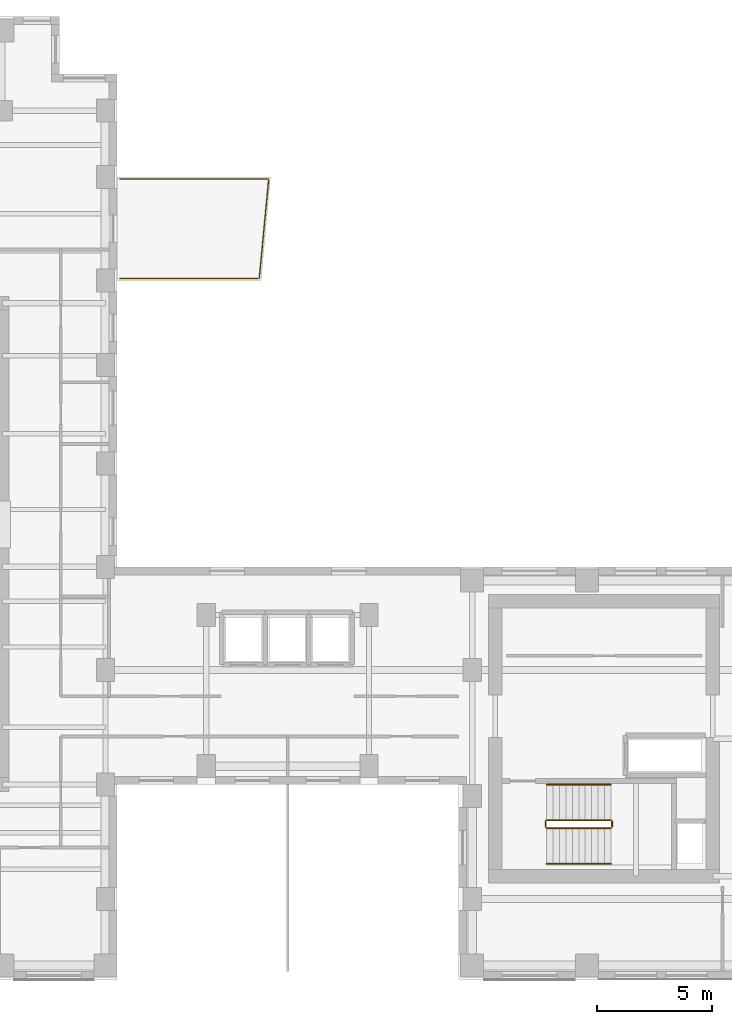
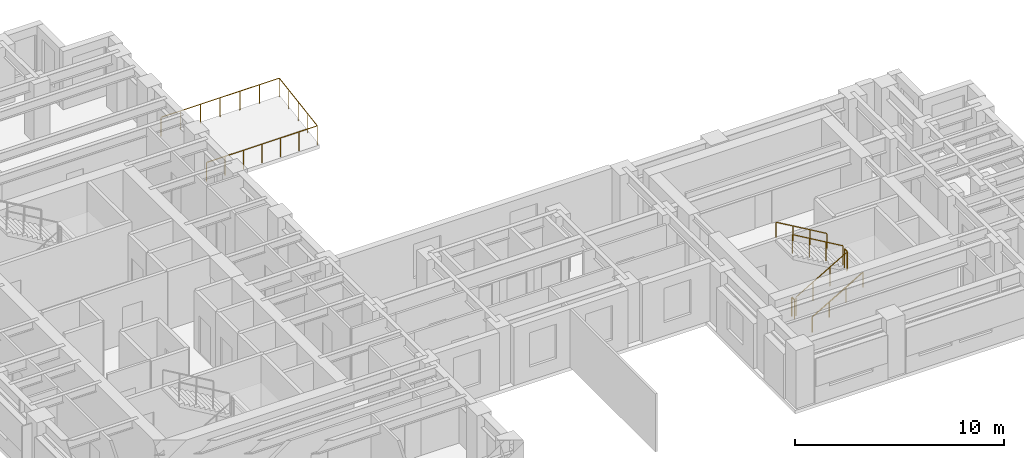
# One storey, part 10 of 10: 7 railings.
"""IFC4 building model written with IfcOpenShell, lengths in metres."""

from ifc_helpers import new_model, si_unit, direction, frame, origin, origin_2d, place, context, subcontext, project, spatial, circle, extrude, source, transform, mapped, material, layer, layer_set, type_object, element, save


model = new_model("IFC4")

# Units and contexts
model_context = context("Model", 3, precision=1e-05, world=origin(), true_north=direction((0.0, 1.0)))
body_context = subcontext(model_context, "Body", "Model", "MODEL_VIEW")
ifc_project = project(units=[si_unit("LENGTHUNIT", "METRE"), si_unit("AREAUNIT", "SQUARE_METRE"), si_unit("VOLUMEUNIT", "CUBIC_METRE"), si_unit("PLANEANGLEUNIT", "RADIAN"), si_unit("MASSUNIT", "GRAM", prefix="KILO")], contexts=[model_context])

# Site, building, storey
site_placement = place(None, origin())
site = spatial("IfcSite", under=ifc_project, at=site_placement, CompositionType="ELEMENT")
building_placement = place(site_placement, origin())
building = spatial("IfcBuilding", under=site, at=building_placement, Name="Kharzan Plaza Tower", CompositionType="ELEMENT")
storey_placement = place(building_placement, frame((0.0, 0.0, 157.5)))
storey = spatial("IfcBuildingStorey", under=building, at=storey_placement, Name="L42", CompositionType="ELEMENT", Elevation=157.5)

# Railings
ifc_material_1 = material(Name="Painted Galvanized Architectural Steel", Category="steel")
ifc_layer_1 = layer(ifc_material_1, 0.074951171875)
ifc_layer_set_1 = layer_set([ifc_layer_1], Name="Painted Galvanized Architectural Steel")
railing_type_1 = type_object("IfcRailingType", Name="RL-GUARD-1120", PredefinedType="BALUSTRADE", material=ifc_layer_set_1)
shared_shape_1 = source(origin(), body_context, "Body", "SweptSolid", [
    extrude(circle(Radius=0.02392578125, at=origin_2d()), frame((0.0, 0.0263671875, 1.09619140625), z_axis=(0.0, 1.0, 0.0), x_axis=(-1.0, 0.0, 0.0)), (0.0, 0.0, 1.0), 0.197021484375),
    extrude(circle(Radius=0.02099609375, at=origin_2d()), origin(), (0.0, 0.0, 1.0), 1.072021484375),
    extrude(circle(Radius=0.02099609375, at=origin_2d()), frame((0.0, 0.25, 0.0)), (0.0, 0.0, 1.0), 1.072021484375),
])
for number, where, name in (
    (1, (41.10009765625, 6.64990234375, 1.800048828125), "L42 ST-3 stair guard 2"),
    (2, (38.199951171875, 6.64990234375, 0.0), "L42 ST-3 stair guard 4"),
):
    element("IfcRailing", number, at=place(storey_placement, frame(where)), inside=storey, type_object=railing_type_1, Name=name, PredefinedType="BALUSTRADE", context=body_context, shape_type="MappedRepresentation", body=[
        mapped(shared_shape_1, transform((0.0, 0.0, 0.0), x_axis=(1.0, 0.0, 0.0), y_axis=(0.0, 1.0, 0.0), z_axis=(0.0, 0.0, 1.0))),
    ])
shared_shape_2 = source(origin(), body_context, "Body", "SweptSolid", [
    extrude(circle(Radius=0.02392578125, at=origin_2d()), frame((0.02294921875, 0.0, 1.109375), z_axis=(0.863360870873, 0.0, 0.504586966384), x_axis=(0.0, 1.0, 0.0)), (0.0, 0.0, 1.0), 3.190185546875),
    extrude(circle(Radius=0.02099609375, at=origin_2d()), origin(), (0.0, 0.0, 1.0), 1.072021484375),
    extrude(circle(Radius=0.02099609375, at=origin_2d()), frame((0.933349609375, 0.0, 0.54541015625)), (0.0, 0.0, 1.0), 1.072021484375),
    extrude(circle(Radius=0.02099609375, at=origin_2d()), frame((1.86669921875, 0.0, 1.091064453125)), (0.0, 0.0, 1.0), 1.072021484375),
    extrude(circle(Radius=0.02099609375, at=origin_2d()), frame((2.800048828125, 0.0, 1.636474609375)), (0.0, 0.0, 1.0), 1.072021484375),
])
railing_1_placement = place(storey_placement, frame((38.25, 6.60009765625, 0.16357421875)))
element("IfcRailing", 3, at=railing_1_placement, inside=storey, type_object=railing_type_1, Name="L42 ST-3 stair guard 1", PredefinedType="BALUSTRADE", context=body_context, shape_type="MappedRepresentation", body=[
    mapped(shared_shape_2, transform((0.0, 0.0, 0.0), x_axis=(1.0, 0.0, 0.0), y_axis=(0.0, 1.0, 0.0), z_axis=(0.0, 0.0, 1.0))),
])
shared_shape_3 = source(origin(), body_context, "Body", "SweptSolid", [
    extrude(circle(Radius=0.02392578125, at=origin_2d()), frame((-0.02294921875, 0.0, 1.109375), z_axis=(-0.863360870873, 0.0, 0.504586966384), x_axis=(0.0, -1.0, 0.0)), (0.0, 0.0, 1.0), 3.190185546875),
    extrude(circle(Radius=0.02099609375, at=origin_2d()), origin(), (0.0, 0.0, 1.0), 1.072021484375),
    extrude(circle(Radius=0.02099609375, at=origin_2d()), frame((-0.933349609375, 0.0, 0.54541015625)), (0.0, 0.0, 1.0), 1.072021484375),
    extrude(circle(Radius=0.02099609375, at=origin_2d()), frame((-1.86669921875, 0.0, 1.091064453125)), (0.0, 0.0, 1.0), 1.072021484375),
    extrude(circle(Radius=0.02099609375, at=origin_2d()), frame((-2.800048828125, 0.0, 1.636474609375)), (0.0, 0.0, 1.0), 1.072021484375),
])
railing_2_placement = place(storey_placement, frame((41.050048828125, 6.949951171875, 1.963623046875)))
element("IfcRailing", 4, at=railing_2_placement, inside=storey, type_object=railing_type_1, Name="L42 ST-3 stair guard 3", PredefinedType="BALUSTRADE", context=body_context, shape_type="MappedRepresentation", body=[
    mapped(shared_shape_3, transform((0.0, 0.0, 0.0), x_axis=(1.0, 0.0, 0.0), y_axis=(0.0, 1.0, 0.0), z_axis=(0.0, 0.0, 1.0))),
])
ifc_material_2 = material(Name="Brushed Stainless Steel", Category="steel")
ifc_layer_2 = layer(ifc_material_2, 0.050048828125)
ifc_layer_set_2 = layer_set([ifc_layer_2], Name="Brushed Stainless Steel")
railing_type_2 = type_object("IfcRailingType", Name="RL-STAIR-HR920", PredefinedType="HANDRAIL", material=ifc_layer_set_2)
shared_shape_4 = source(origin(), body_context, "Body", "SweptSolid", [
    extrude(circle(Radius=0.02392578125, at=origin_2d()), frame((0.02294921875, 0.0, 0.88916015625), z_axis=(0.863360870873, 0.0, 0.504586966384), x_axis=(0.0, 1.0, 0.0)), (0.0, 0.0, 1.0), 3.190185546875),
    extrude(circle(Radius=0.02099609375, at=origin_2d()), origin(), (0.0, 0.0, 1.0), 0.851806640625),
    extrude(circle(Radius=0.02099609375, at=origin_2d()), frame((0.933349609375, 0.0, 0.54541015625)), (0.0, 0.0, 1.0), 0.851806640625),
    extrude(circle(Radius=0.02099609375, at=origin_2d()), frame((1.86669921875, 0.0, 1.091064453125)), (0.0, 0.0, 1.0), 0.851806640625),
    extrude(circle(Radius=0.02099609375, at=origin_2d()), frame((2.800048828125, 0.0, 1.636474609375)), (0.0, 0.0, 1.0), 0.851806640625),
])
railing_3_placement = place(storey_placement, frame((38.25, 5.050048828125, 0.16357421875)))
element("IfcRailing", 5, at=railing_3_placement, inside=storey, type_object=railing_type_2, Name="L42 ST-3 stair handrail 1", PredefinedType="HANDRAIL", context=body_context, shape_type="MappedRepresentation", body=[
    mapped(shared_shape_4, transform((0.0, 0.0, 0.0), x_axis=(1.0, 0.0, 0.0), y_axis=(0.0, 1.0, 0.0), z_axis=(0.0, 0.0, 1.0))),
])
shared_shape_5 = source(origin(), body_context, "Body", "SweptSolid", [
    extrude(circle(Radius=0.02392578125, at=origin_2d()), frame((-0.02294921875, 0.0, 0.88916015625), z_axis=(-0.863360870873, 0.0, 0.504586966384), x_axis=(0.0, -1.0, 0.0)), (0.0, 0.0, 1.0), 3.190185546875),
    extrude(circle(Radius=0.02099609375, at=origin_2d()), origin(), (0.0, 0.0, 1.0), 0.851806640625),
    extrude(circle(Radius=0.02099609375, at=origin_2d()), frame((-0.933349609375, 0.0, 0.54541015625)), (0.0, 0.0, 1.0), 0.851806640625),
    extrude(circle(Radius=0.02099609375, at=origin_2d()), frame((-1.86669921875, 0.0, 1.091064453125)), (0.0, 0.0, 1.0), 0.851806640625),
    extrude(circle(Radius=0.02099609375, at=origin_2d()), frame((-2.800048828125, 0.0, 1.636474609375)), (0.0, 0.0, 1.0), 0.851806640625),
])
railing_4_placement = place(storey_placement, frame((41.050048828125, 8.5, 1.963623046875)))
element("IfcRailing", 6, at=railing_4_placement, inside=storey, type_object=railing_type_2, Name="L42 ST-3 stair handrail 2", PredefinedType="HANDRAIL", context=body_context, shape_type="MappedRepresentation", body=[
    mapped(shared_shape_5, transform((0.0, 0.0, 0.0), x_axis=(1.0, 0.0, 0.0), y_axis=(0.0, 1.0, 0.0), z_axis=(0.0, 0.0, 1.0))),
])
shared_shape_6 = source(origin(), body_context, "Body", "SweptSolid", [
    extrude(circle(Radius=0.02392578125, at=origin_2d()), frame((0.0263671875, 0.0, 1.09619140625), z_axis=(1.0, 0.0, 0.0), x_axis=(0.0, 1.0, 0.0)), (0.0, 0.0, 1.0), 6.056884765625),
    extrude(circle(Radius=0.02392578125, at=origin_2d()), frame((6.1123046875, 0.0263671875, 1.09619140625), z_axis=(0.094090176669, 0.995563678855, 0.0), x_axis=(-0.995563678855, 0.094090176669, 0.0)), (0.0, 0.0, 1.0), 4.306396484375),
    extrude(circle(Radius=0.02392578125, at=origin_2d()), frame((6.49365234375, 4.33984375, 1.09619140625), z_axis=(-1.0, 0.0, 0.0), x_axis=(0.0, -1.0, 0.0)), (0.0, 0.0, 1.0), 6.467041015625),
    extrude(circle(Radius=0.02099609375, at=origin_2d()), origin(), (0.0, 0.0, 1.0), 1.072021484375),
    extrude(circle(Radius=0.02099609375, at=origin_2d()), frame((1.018310546875, 0.0, 0.0)), (0.0, 0.0, 1.0), 1.072021484375),
    extrude(circle(Radius=0.02099609375, at=origin_2d()), frame((2.03662109375, 0.0, 0.0)), (0.0, 0.0, 1.0), 1.072021484375),
    extrude(circle(Radius=0.02099609375, at=origin_2d()), frame((3.054931640625, 0.0, 0.0)), (0.0, 0.0, 1.0), 1.072021484375),
    extrude(circle(Radius=0.02099609375, at=origin_2d()), frame((4.0732421875, 0.0, 0.0)), (0.0, 0.0, 1.0), 1.072021484375),
    extrude(circle(Radius=0.02099609375, at=origin_2d()), frame((5.091552734375, 0.0, 0.0)), (0.0, 0.0, 1.0), 1.072021484375),
    extrude(circle(Radius=0.02099609375, at=origin_2d()), frame((6.10986328125, 0.0, 0.0)), (0.0, 0.0, 1.0), 1.072021484375),
    extrude(circle(Radius=0.02099609375, at=origin_2d()), frame((6.21240234375, 1.0849609375, 0.0)), (0.0, 0.0, 1.0), 1.072021484375),
    extrude(circle(Radius=0.02099609375, at=origin_2d()), frame((6.31494140625, 2.169921875, 0.0)), (0.0, 0.0, 1.0), 1.072021484375),
    extrude(circle(Radius=0.02099609375, at=origin_2d()), frame((6.41748046875, 3.2548828125, 0.0)), (0.0, 0.0, 1.0), 1.072021484375),
    extrude(circle(Radius=0.02099609375, at=origin_2d()), frame((6.52001953125, 4.33984375, 0.0)), (0.0, 0.0, 1.0), 1.072021484375),
    extrude(circle(Radius=0.02099609375, at=origin_2d()), frame((5.433349609375, 4.33984375, 0.0)), (0.0, 0.0, 1.0), 1.072021484375),
    extrude(circle(Radius=0.02099609375, at=origin_2d()), frame((4.3466796875, 4.33984375, 0.0)), (0.0, 0.0, 1.0), 1.072021484375),
    extrude(circle(Radius=0.02099609375, at=origin_2d()), frame((3.260009765625, 4.33984375, 0.0)), (0.0, 0.0, 1.0), 1.072021484375),
    extrude(circle(Radius=0.02099609375, at=origin_2d()), frame((2.17333984375, 4.33984375, 0.0)), (0.0, 0.0, 1.0), 1.072021484375),
    extrude(circle(Radius=0.02099609375, at=origin_2d()), frame((1.086669921875, 4.33984375, 0.0)), (0.0, 0.0, 1.0), 1.072021484375),
    extrude(circle(Radius=0.02099609375, at=origin_2d()), frame((0.0, 4.33984375, 0.0)), (0.0, 0.0, 1.0), 1.072021484375),
])
railing_5_placement = place(storey_placement, frame((19.60009765625, 30.580078125, 0.0)))
element("IfcRailing", 7, at=railing_5_placement, inside=storey, type_object=railing_type_1, Name="L42 Cantilevered Sky-Terrace Tray Balustrade", PredefinedType="BALUSTRADE", context=body_context, shape_type="MappedRepresentation", body=[
    mapped(shared_shape_6, transform((0.0, 0.0, 0.0), x_axis=(1.0, 0.0, 0.0), y_axis=(0.0, 1.0, 0.0), z_axis=(0.0, 0.0, 1.0))),
])

save(model, "model.ifc")
